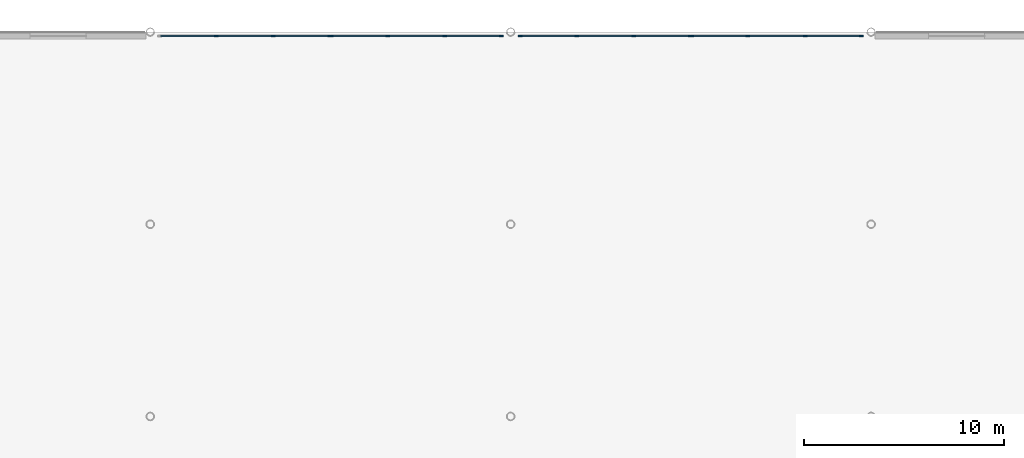
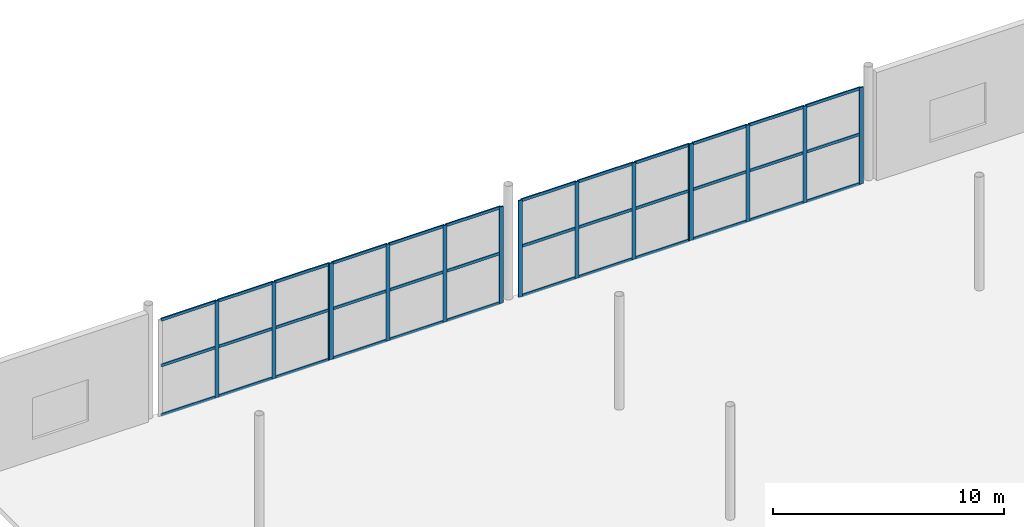
# One storey, part 39 of 113: 51 members, 4 elements without a shape of their own.
"""IFC4 building model written with IfcOpenShell, lengths in metres."""

from ifc_helpers import new_model, si_unit, direction, frame, origin, origin_2d, place, context, subcontext, project, spatial, rectangle, extrude, material, layer, layer_set, material_profile, profile_set, type_object, element, aggregate, save


model = new_model("IFC4")

# Units and contexts
model_context = context("Model", 3, precision=1e-05, world=origin(), true_north=direction((0.0, 1.0)))
body_context = subcontext(model_context, "Body", "Model", "MODEL_VIEW")
ifc_project = project(units=[si_unit("LENGTHUNIT", "METRE"), si_unit("AREAUNIT", "SQUARE_METRE"), si_unit("VOLUMEUNIT", "CUBIC_METRE"), si_unit("PLANEANGLEUNIT", "RADIAN"), si_unit("MASSUNIT", "GRAM", prefix="KILO")], contexts=[model_context])

# Site, building, storey
site_placement = place(None, origin())
site = spatial("IfcSite", under=ifc_project, at=site_placement, CompositionType="ELEMENT")
building_placement = place(site_placement, origin())
building = spatial("IfcBuilding", under=site, at=building_placement, Name="Myrtia Square Station", CompositionType="ELEMENT")
storey_placement = place(building_placement, origin())
storey = spatial("IfcBuildingStorey", under=building, at=storey_placement, Name="L00", CompositionType="ELEMENT", Elevation=0.0)

# Curtain wall, members
ifc_material = material(Name="Dark bronze anodised aluminium", Category="aluminium")
ifc_layer = layer(ifc_material, 0.159912109375, Name="Dark bronze anodised aluminium")
ifc_layer_set = layer_set([ifc_layer], Name="Dark bronze anodised aluminium")
curtain_wall_type = type_object("IfcCurtainWallType", Name="CW-TYPE-24-855x510", PredefinedType="USERDEFINED", material=ifc_layer_set)
curtain_wall_1_placement = place(storey_placement, origin())
curtain_wall_1 = element("IfcCurtainWall", 1, at=curtain_wall_1_placement, inside=storey, type_object=curtain_wall_type, Name="Concourse curtain wall CW-L00-083", ObjectType="CONCOURSE CURTAIN WALL", PredefinedType="USERDEFINED")
ifc_material_profile_1 = material_profile(ifc_material, rectangle(XDim=0.06494140625, YDim=0.199951171875, at=origin_2d()), Name="ALU-M 65x200")
ifc_profile_set_1 = profile_set([ifc_material_profile_1], Name="Dark bronze anodised aluminium")
member_type_1 = type_object("IfcMemberType", Name="CWM-65x200", PredefinedType="MULLION", material=ifc_profile_set_1)
member_1_placement = place(storey_placement, frame((30.300048828125, 124.60009765625, 0.0), z_axis=(0.0, 0.0, 1.0), x_axis=(0.0, 1.0, 0.0)))
member_1 = element("IfcMember", 2, at=member_1_placement, type_object=member_type_1, Name="CW-083 mullion 2", PredefinedType="MULLION", context=body_context, shape_type="SweptSolid", body=[
    extrude(rectangle(XDim=0.06494140625, YDim=0.199951171875, at=origin_2d()), origin(), (0.0, 0.0, 1.0), 5.10009765625),
])
member_2_placement = place(storey_placement, frame((33.14990234375, 124.60009765625, 0.0), z_axis=(0.0, 0.0, 1.0), x_axis=(0.0, 1.0, 0.0)))
member_2 = element("IfcMember", 3, at=member_2_placement, type_object=member_type_1, Name="CW-083 mullion 3", PredefinedType="MULLION", context=body_context, shape_type="SweptSolid", body=[
    extrude(rectangle(XDim=0.06494140625, YDim=0.199951171875, at=origin_2d()), origin(), (0.0, 0.0, 1.0), 5.10009765625),
])
member_3_placement = place(storey_placement, frame((35.967529296875, 124.60009765625, 0.0), z_axis=(0.0, 0.0, 1.0), x_axis=(0.0, 1.0, 0.0)))
member_3 = element("IfcMember", 4, at=member_3_placement, type_object=member_type_1, Name="CW-083 mullion 4", PredefinedType="MULLION", context=body_context, shape_type="SweptSolid", body=[
    extrude(rectangle(XDim=0.06494140625, YDim=0.199951171875, at=origin_2d()), origin(), (0.0, 0.0, 1.0), 5.10009765625),
])

curtain_wall_2_placement = place(storey_placement, origin())
curtain_wall_2 = element("IfcCurtainWall", 5, at=curtain_wall_2_placement, inside=storey, type_object=curtain_wall_type, Name="Concourse curtain wall CW-L00-085", ObjectType="CONCOURSE CURTAIN WALL", PredefinedType="USERDEFINED")
member_4_placement = place(storey_placement, frame((36.032470703125, 124.60009765625, 0.0), z_axis=(0.0, 0.0, 1.0), x_axis=(0.0, 1.0, 0.0)))
member_4 = element("IfcMember", 6, at=member_4_placement, type_object=member_type_1, Name="CW-085 mullion 1", PredefinedType="MULLION", context=body_context, shape_type="SweptSolid", body=[
    extrude(rectangle(XDim=0.06494140625, YDim=0.199951171875, at=origin_2d()), origin(), (0.0, 0.0, 1.0), 5.10009765625),
])
member_5_placement = place(storey_placement, frame((38.85009765625, 124.60009765625, 0.0), z_axis=(0.0, 0.0, 1.0), x_axis=(0.0, 1.0, 0.0)))
member_5 = element("IfcMember", 7, at=member_5_placement, type_object=member_type_1, Name="CW-085 mullion 2", PredefinedType="MULLION", context=body_context, shape_type="SweptSolid", body=[
    extrude(rectangle(XDim=0.06494140625, YDim=0.199951171875, at=origin_2d()), origin(), (0.0, 0.0, 1.0), 5.10009765625),
])
member_6_placement = place(storey_placement, frame((41.699951171875, 124.60009765625, 0.0), z_axis=(0.0, 0.0, 1.0), x_axis=(0.0, 1.0, 0.0)))
member_6 = element("IfcMember", 8, at=member_6_placement, type_object=member_type_1, Name="CW-085 mullion 3", PredefinedType="MULLION", context=body_context, shape_type="SweptSolid", body=[
    extrude(rectangle(XDim=0.06494140625, YDim=0.199951171875, at=origin_2d()), origin(), (0.0, 0.0, 1.0), 5.10009765625),
])
member_7_placement = place(storey_placement, frame((44.517578125, 124.60009765625, 0.0), z_axis=(0.0, 0.0, 1.0), x_axis=(0.0, 1.0, 0.0)))
member_7 = element("IfcMember", 9, at=member_7_placement, type_object=member_type_1, Name="CW-085 mullion 4", PredefinedType="MULLION", context=body_context, shape_type="SweptSolid", body=[
    extrude(rectangle(XDim=0.06494140625, YDim=0.199951171875, at=origin_2d()), origin(), (0.0, 0.0, 1.0), 5.10009765625),
])

curtain_wall_3_placement = place(storey_placement, origin())
curtain_wall_3 = element("IfcCurtainWall", 10, at=curtain_wall_3_placement, inside=storey, type_object=curtain_wall_type, Name="Concourse curtain wall CW-L00-087", ObjectType="CONCOURSE CURTAIN WALL", PredefinedType="USERDEFINED")
member_8_placement = place(storey_placement, frame((45.482421875, 124.60009765625, 0.0), z_axis=(0.0, 0.0, 1.0), x_axis=(0.0, 1.0, 0.0)))
member_8 = element("IfcMember", 11, at=member_8_placement, type_object=member_type_1, Name="CW-087 mullion 1", PredefinedType="MULLION", context=body_context, shape_type="SweptSolid", body=[
    extrude(rectangle(XDim=0.06494140625, YDim=0.199951171875, at=origin_2d()), origin(), (0.0, 0.0, 1.0), 5.10009765625),
])
member_9_placement = place(storey_placement, frame((48.300048828125, 124.60009765625, 0.0), z_axis=(0.0, 0.0, 1.0), x_axis=(0.0, 1.0, 0.0)))
member_9 = element("IfcMember", 12, at=member_9_placement, type_object=member_type_1, Name="CW-087 mullion 2", PredefinedType="MULLION", context=body_context, shape_type="SweptSolid", body=[
    extrude(rectangle(XDim=0.06494140625, YDim=0.199951171875, at=origin_2d()), origin(), (0.0, 0.0, 1.0), 5.10009765625),
])
member_10_placement = place(storey_placement, frame((51.14990234375, 124.60009765625, 0.0), z_axis=(0.0, 0.0, 1.0), x_axis=(0.0, 1.0, 0.0)))
member_10 = element("IfcMember", 13, at=member_10_placement, type_object=member_type_1, Name="CW-087 mullion 3", PredefinedType="MULLION", context=body_context, shape_type="SweptSolid", body=[
    extrude(rectangle(XDim=0.06494140625, YDim=0.199951171875, at=origin_2d()), origin(), (0.0, 0.0, 1.0), 5.10009765625),
])
member_11_placement = place(storey_placement, frame((53.967529296875, 124.60009765625, 0.0), z_axis=(0.0, 0.0, 1.0), x_axis=(0.0, 1.0, 0.0)))
member_11 = element("IfcMember", 14, at=member_11_placement, type_object=member_type_1, Name="CW-087 mullion 4", PredefinedType="MULLION", context=body_context, shape_type="SweptSolid", body=[
    extrude(rectangle(XDim=0.06494140625, YDim=0.199951171875, at=origin_2d()), origin(), (0.0, 0.0, 1.0), 5.10009765625),
])

curtain_wall_4_placement = place(storey_placement, origin())
curtain_wall_4 = element("IfcCurtainWall", 15, at=curtain_wall_4_placement, inside=storey, type_object=curtain_wall_type, Name="Concourse curtain wall CW-L00-089", ObjectType="CONCOURSE CURTAIN WALL", PredefinedType="USERDEFINED")
member_12_placement = place(storey_placement, frame((54.032470703125, 124.60009765625, 0.0), z_axis=(0.0, 0.0, 1.0), x_axis=(0.0, 1.0, 0.0)))
member_12 = element("IfcMember", 16, at=member_12_placement, type_object=member_type_1, Name="CW-089 mullion 1", PredefinedType="MULLION", context=body_context, shape_type="SweptSolid", body=[
    extrude(rectangle(XDim=0.06494140625, YDim=0.199951171875, at=origin_2d()), origin(), (0.0, 0.0, 1.0), 5.10009765625),
])
member_13_placement = place(storey_placement, frame((56.85009765625, 124.60009765625, 0.0), z_axis=(0.0, 0.0, 1.0), x_axis=(0.0, 1.0, 0.0)))
member_13 = element("IfcMember", 17, at=member_13_placement, type_object=member_type_1, Name="CW-089 mullion 2", PredefinedType="MULLION", context=body_context, shape_type="SweptSolid", body=[
    extrude(rectangle(XDim=0.06494140625, YDim=0.199951171875, at=origin_2d()), origin(), (0.0, 0.0, 1.0), 5.10009765625),
])
member_14_placement = place(storey_placement, frame((59.699951171875, 124.60009765625, 0.0), z_axis=(0.0, 0.0, 1.0), x_axis=(0.0, 1.0, 0.0)))
member_14 = element("IfcMember", 18, at=member_14_placement, type_object=member_type_1, Name="CW-089 mullion 3", PredefinedType="MULLION", context=body_context, shape_type="SweptSolid", body=[
    extrude(rectangle(XDim=0.06494140625, YDim=0.199951171875, at=origin_2d()), origin(), (0.0, 0.0, 1.0), 5.10009765625),
])
member_15_placement = place(storey_placement, frame((62.517578125, 124.60009765625, 0.0), z_axis=(0.0, 0.0, 1.0), x_axis=(0.0, 1.0, 0.0)))
member_15 = element("IfcMember", 19, at=member_15_placement, type_object=member_type_1, Name="CW-089 mullion 4", PredefinedType="MULLION", context=body_context, shape_type="SweptSolid", body=[
    extrude(rectangle(XDim=0.06494140625, YDim=0.199951171875, at=origin_2d()), origin(), (0.0, 0.0, 1.0), 5.10009765625),
])

# Member
ifc_material_profile_2 = material_profile(ifc_material, rectangle(XDim=0.06494140625, YDim=0.14990234375, at=origin_2d()), Name="ALU-T 65x150")
ifc_profile_set_2 = profile_set([ifc_material_profile_2], Name="Dark bronze anodised aluminium")
member_type_2 = type_object("IfcMemberType", Name="CWT-65x150", PredefinedType="USERDEFINED", material=ifc_profile_set_2)
member_16_placement = place(storey_placement, frame((27.514892578125, 124.60009765625, 0.032470703125), z_axis=(1.0, 0.0, 0.0), x_axis=(0.0, 1.0, 0.0)))
member_16 = element("IfcMember", 20, at=member_16_placement, type_object=member_type_2, Name="CW-083 transom 1.1", ObjectType="TRANSOM", PredefinedType="USERDEFINED", context=body_context, shape_type="SweptSolid", body=[
    extrude(rectangle(XDim=0.06494140625, YDim=0.14990234375, at=origin_2d()), origin(), (0.0, 0.0, 1.0), 2.752685546875),
])

member_17_placement = place(storey_placement, frame((27.514892578125, 124.60009765625, 2.652099609375), z_axis=(1.0, 0.0, 0.0), x_axis=(0.0, 1.0, 0.0)))
member_17 = element("IfcMember", 21, at=member_17_placement, type_object=member_type_2, Name="CW-083 transom 1.2", ObjectType="TRANSOM", PredefinedType="USERDEFINED", context=body_context, shape_type="SweptSolid", body=[
    extrude(rectangle(XDim=0.06494140625, YDim=0.14990234375, at=origin_2d()), origin(), (0.0, 0.0, 1.0), 2.752685546875),
])

member_18_placement = place(storey_placement, frame((27.514892578125, 124.60009765625, 5.0673828125), z_axis=(1.0, 0.0, 0.0), x_axis=(0.0, 1.0, 0.0)))
member_18 = element("IfcMember", 22, at=member_18_placement, type_object=member_type_2, Name="CW-083 transom 1.3", ObjectType="TRANSOM", PredefinedType="USERDEFINED", context=body_context, shape_type="SweptSolid", body=[
    extrude(rectangle(XDim=0.06494140625, YDim=0.14990234375, at=origin_2d()), origin(), (0.0, 0.0, 1.0), 2.752685546875),
])

member_19_placement = place(storey_placement, frame((30.33251953125, 124.60009765625, 0.032470703125), z_axis=(1.0, 0.0, 0.0), x_axis=(0.0, 1.0, 0.0)))
member_19 = element("IfcMember", 23, at=member_19_placement, type_object=member_type_2, Name="CW-083 transom 2.1", ObjectType="TRANSOM", PredefinedType="USERDEFINED", context=body_context, shape_type="SweptSolid", body=[
    extrude(rectangle(XDim=0.06494140625, YDim=0.14990234375, at=origin_2d()), origin(), (0.0, 0.0, 1.0), 2.784912109375),
])

member_20_placement = place(storey_placement, frame((30.33251953125, 124.60009765625, 2.652099609375), z_axis=(1.0, 0.0, 0.0), x_axis=(0.0, 1.0, 0.0)))
member_20 = element("IfcMember", 24, at=member_20_placement, type_object=member_type_2, Name="CW-083 transom 2.2", ObjectType="TRANSOM", PredefinedType="USERDEFINED", context=body_context, shape_type="SweptSolid", body=[
    extrude(rectangle(XDim=0.06494140625, YDim=0.14990234375, at=origin_2d()), origin(), (0.0, 0.0, 1.0), 2.784912109375),
])

member_21_placement = place(storey_placement, frame((30.33251953125, 124.60009765625, 5.0673828125), z_axis=(1.0, 0.0, 0.0), x_axis=(0.0, 1.0, 0.0)))
member_21 = element("IfcMember", 25, at=member_21_placement, type_object=member_type_2, Name="CW-083 transom 2.3", ObjectType="TRANSOM", PredefinedType="USERDEFINED", context=body_context, shape_type="SweptSolid", body=[
    extrude(rectangle(XDim=0.06494140625, YDim=0.14990234375, at=origin_2d()), origin(), (0.0, 0.0, 1.0), 2.784912109375),
])

member_22_placement = place(storey_placement, frame((33.1826171875, 124.60009765625, 0.032470703125), z_axis=(1.0, 0.0, 0.0), x_axis=(0.0, 1.0, 0.0)))
member_22 = element("IfcMember", 26, at=member_22_placement, type_object=member_type_2, Name="CW-083 transom 3.1", ObjectType="TRANSOM", PredefinedType="USERDEFINED", context=body_context, shape_type="SweptSolid", body=[
    extrude(rectangle(XDim=0.06494140625, YDim=0.14990234375, at=origin_2d()), origin(), (0.0, 0.0, 1.0), 2.75244140625),
])

member_23_placement = place(storey_placement, frame((33.1826171875, 124.60009765625, 2.652099609375), z_axis=(1.0, 0.0, 0.0), x_axis=(0.0, 1.0, 0.0)))
member_23 = element("IfcMember", 27, at=member_23_placement, type_object=member_type_2, Name="CW-083 transom 3.2", ObjectType="TRANSOM", PredefinedType="USERDEFINED", context=body_context, shape_type="SweptSolid", body=[
    extrude(rectangle(XDim=0.06494140625, YDim=0.14990234375, at=origin_2d()), origin(), (0.0, 0.0, 1.0), 2.75244140625),
])

member_24_placement = place(storey_placement, frame((33.1826171875, 124.60009765625, 5.0673828125), z_axis=(1.0, 0.0, 0.0), x_axis=(0.0, 1.0, 0.0)))
member_24 = element("IfcMember", 28, at=member_24_placement, type_object=member_type_2, Name="CW-083 transom 3.3", ObjectType="TRANSOM", PredefinedType="USERDEFINED", context=body_context, shape_type="SweptSolid", body=[
    extrude(rectangle(XDim=0.06494140625, YDim=0.14990234375, at=origin_2d()), origin(), (0.0, 0.0, 1.0), 2.75244140625),
])

aggregate(curtain_wall_1, [member_1, member_2, member_3, member_16, member_17, member_18, member_19, member_20, member_21, member_22, member_23, member_24])

member_25_placement = place(storey_placement, frame((36.06494140625, 124.60009765625, 0.032470703125), z_axis=(1.0, 0.0, 0.0), x_axis=(0.0, 1.0, 0.0)))
member_25 = element("IfcMember", 29, at=member_25_placement, type_object=member_type_2, Name="CW-085 transom 1.1", ObjectType="TRANSOM", PredefinedType="USERDEFINED", context=body_context, shape_type="SweptSolid", body=[
    extrude(rectangle(XDim=0.06494140625, YDim=0.14990234375, at=origin_2d()), origin(), (0.0, 0.0, 1.0), 2.75244140625),
])

member_26_placement = place(storey_placement, frame((36.06494140625, 124.60009765625, 2.652099609375), z_axis=(1.0, 0.0, 0.0), x_axis=(0.0, 1.0, 0.0)))
member_26 = element("IfcMember", 30, at=member_26_placement, type_object=member_type_2, Name="CW-085 transom 1.2", ObjectType="TRANSOM", PredefinedType="USERDEFINED", context=body_context, shape_type="SweptSolid", body=[
    extrude(rectangle(XDim=0.06494140625, YDim=0.14990234375, at=origin_2d()), origin(), (0.0, 0.0, 1.0), 2.75244140625),
])

member_27_placement = place(storey_placement, frame((36.06494140625, 124.60009765625, 5.0673828125), z_axis=(1.0, 0.0, 0.0), x_axis=(0.0, 1.0, 0.0)))
member_27 = element("IfcMember", 31, at=member_27_placement, type_object=member_type_2, Name="CW-085 transom 1.3", ObjectType="TRANSOM", PredefinedType="USERDEFINED", context=body_context, shape_type="SweptSolid", body=[
    extrude(rectangle(XDim=0.06494140625, YDim=0.14990234375, at=origin_2d()), origin(), (0.0, 0.0, 1.0), 2.75244140625),
])

member_28_placement = place(storey_placement, frame((38.882568359375, 124.60009765625, 0.032470703125), z_axis=(1.0, 0.0, 0.0), x_axis=(0.0, 1.0, 0.0)))
member_28 = element("IfcMember", 32, at=member_28_placement, type_object=member_type_2, Name="CW-085 transom 2.1", ObjectType="TRANSOM", PredefinedType="USERDEFINED", context=body_context, shape_type="SweptSolid", body=[
    extrude(rectangle(XDim=0.06494140625, YDim=0.14990234375, at=origin_2d()), origin(), (0.0, 0.0, 1.0), 2.784912109375),
])

member_29_placement = place(storey_placement, frame((38.882568359375, 124.60009765625, 2.652099609375), z_axis=(1.0, 0.0, 0.0), x_axis=(0.0, 1.0, 0.0)))
member_29 = element("IfcMember", 33, at=member_29_placement, type_object=member_type_2, Name="CW-085 transom 2.2", ObjectType="TRANSOM", PredefinedType="USERDEFINED", context=body_context, shape_type="SweptSolid", body=[
    extrude(rectangle(XDim=0.06494140625, YDim=0.14990234375, at=origin_2d()), origin(), (0.0, 0.0, 1.0), 2.784912109375),
])

member_30_placement = place(storey_placement, frame((38.882568359375, 124.60009765625, 5.0673828125), z_axis=(1.0, 0.0, 0.0), x_axis=(0.0, 1.0, 0.0)))
member_30 = element("IfcMember", 34, at=member_30_placement, type_object=member_type_2, Name="CW-085 transom 2.3", ObjectType="TRANSOM", PredefinedType="USERDEFINED", context=body_context, shape_type="SweptSolid", body=[
    extrude(rectangle(XDim=0.06494140625, YDim=0.14990234375, at=origin_2d()), origin(), (0.0, 0.0, 1.0), 2.784912109375),
])

member_31_placement = place(storey_placement, frame((41.732421875, 124.60009765625, 0.032470703125), z_axis=(1.0, 0.0, 0.0), x_axis=(0.0, 1.0, 0.0)))
member_31 = element("IfcMember", 35, at=member_31_placement, type_object=member_type_2, Name="CW-085 transom 3.1", ObjectType="TRANSOM", PredefinedType="USERDEFINED", context=body_context, shape_type="SweptSolid", body=[
    extrude(rectangle(XDim=0.06494140625, YDim=0.14990234375, at=origin_2d()), origin(), (0.0, 0.0, 1.0), 2.752685546875),
])

member_32_placement = place(storey_placement, frame((41.732421875, 124.60009765625, 2.652099609375), z_axis=(1.0, 0.0, 0.0), x_axis=(0.0, 1.0, 0.0)))
member_32 = element("IfcMember", 36, at=member_32_placement, type_object=member_type_2, Name="CW-085 transom 3.2", ObjectType="TRANSOM", PredefinedType="USERDEFINED", context=body_context, shape_type="SweptSolid", body=[
    extrude(rectangle(XDim=0.06494140625, YDim=0.14990234375, at=origin_2d()), origin(), (0.0, 0.0, 1.0), 2.752685546875),
])

member_33_placement = place(storey_placement, frame((41.732421875, 124.60009765625, 5.0673828125), z_axis=(1.0, 0.0, 0.0), x_axis=(0.0, 1.0, 0.0)))
member_33 = element("IfcMember", 37, at=member_33_placement, type_object=member_type_2, Name="CW-085 transom 3.3", ObjectType="TRANSOM", PredefinedType="USERDEFINED", context=body_context, shape_type="SweptSolid", body=[
    extrude(rectangle(XDim=0.06494140625, YDim=0.14990234375, at=origin_2d()), origin(), (0.0, 0.0, 1.0), 2.752685546875),
])

aggregate(curtain_wall_2, [member_4, member_5, member_6, member_7, member_25, member_26, member_27, member_28, member_29, member_30, member_31, member_32, member_33])

member_34_placement = place(storey_placement, frame((45.514892578125, 124.60009765625, 0.032470703125), z_axis=(1.0, 0.0, 0.0), x_axis=(0.0, 1.0, 0.0)))
member_34 = element("IfcMember", 38, at=member_34_placement, type_object=member_type_2, Name="CW-087 transom 1.1", ObjectType="TRANSOM", PredefinedType="USERDEFINED", context=body_context, shape_type="SweptSolid", body=[
    extrude(rectangle(XDim=0.06494140625, YDim=0.14990234375, at=origin_2d()), origin(), (0.0, 0.0, 1.0), 2.752685546875),
])

member_35_placement = place(storey_placement, frame((45.514892578125, 124.60009765625, 2.652099609375), z_axis=(1.0, 0.0, 0.0), x_axis=(0.0, 1.0, 0.0)))
member_35 = element("IfcMember", 39, at=member_35_placement, type_object=member_type_2, Name="CW-087 transom 1.2", ObjectType="TRANSOM", PredefinedType="USERDEFINED", context=body_context, shape_type="SweptSolid", body=[
    extrude(rectangle(XDim=0.06494140625, YDim=0.14990234375, at=origin_2d()), origin(), (0.0, 0.0, 1.0), 2.752685546875),
])

member_36_placement = place(storey_placement, frame((45.514892578125, 124.60009765625, 5.0673828125), z_axis=(1.0, 0.0, 0.0), x_axis=(0.0, 1.0, 0.0)))
member_36 = element("IfcMember", 40, at=member_36_placement, type_object=member_type_2, Name="CW-087 transom 1.3", ObjectType="TRANSOM", PredefinedType="USERDEFINED", context=body_context, shape_type="SweptSolid", body=[
    extrude(rectangle(XDim=0.06494140625, YDim=0.14990234375, at=origin_2d()), origin(), (0.0, 0.0, 1.0), 2.752685546875),
])

member_37_placement = place(storey_placement, frame((48.33251953125, 124.60009765625, 0.032470703125), z_axis=(1.0, 0.0, 0.0), x_axis=(0.0, 1.0, 0.0)))
member_37 = element("IfcMember", 41, at=member_37_placement, type_object=member_type_2, Name="CW-087 transom 2.1", ObjectType="TRANSOM", PredefinedType="USERDEFINED", context=body_context, shape_type="SweptSolid", body=[
    extrude(rectangle(XDim=0.06494140625, YDim=0.14990234375, at=origin_2d()), origin(), (0.0, 0.0, 1.0), 2.784912109375),
])

member_38_placement = place(storey_placement, frame((48.33251953125, 124.60009765625, 2.652099609375), z_axis=(1.0, 0.0, 0.0), x_axis=(0.0, 1.0, 0.0)))
member_38 = element("IfcMember", 42, at=member_38_placement, type_object=member_type_2, Name="CW-087 transom 2.2", ObjectType="TRANSOM", PredefinedType="USERDEFINED", context=body_context, shape_type="SweptSolid", body=[
    extrude(rectangle(XDim=0.06494140625, YDim=0.14990234375, at=origin_2d()), origin(), (0.0, 0.0, 1.0), 2.784912109375),
])

member_39_placement = place(storey_placement, frame((48.33251953125, 124.60009765625, 5.0673828125), z_axis=(1.0, 0.0, 0.0), x_axis=(0.0, 1.0, 0.0)))
member_39 = element("IfcMember", 43, at=member_39_placement, type_object=member_type_2, Name="CW-087 transom 2.3", ObjectType="TRANSOM", PredefinedType="USERDEFINED", context=body_context, shape_type="SweptSolid", body=[
    extrude(rectangle(XDim=0.06494140625, YDim=0.14990234375, at=origin_2d()), origin(), (0.0, 0.0, 1.0), 2.784912109375),
])

member_40_placement = place(storey_placement, frame((51.1826171875, 124.60009765625, 0.032470703125), z_axis=(1.0, 0.0, 0.0), x_axis=(0.0, 1.0, 0.0)))
member_40 = element("IfcMember", 44, at=member_40_placement, type_object=member_type_2, Name="CW-087 transom 3.1", ObjectType="TRANSOM", PredefinedType="USERDEFINED", context=body_context, shape_type="SweptSolid", body=[
    extrude(rectangle(XDim=0.06494140625, YDim=0.14990234375, at=origin_2d()), origin(), (0.0, 0.0, 1.0), 2.75244140625),
])

member_41_placement = place(storey_placement, frame((51.1826171875, 124.60009765625, 2.652099609375), z_axis=(1.0, 0.0, 0.0), x_axis=(0.0, 1.0, 0.0)))
member_41 = element("IfcMember", 45, at=member_41_placement, type_object=member_type_2, Name="CW-087 transom 3.2", ObjectType="TRANSOM", PredefinedType="USERDEFINED", context=body_context, shape_type="SweptSolid", body=[
    extrude(rectangle(XDim=0.06494140625, YDim=0.14990234375, at=origin_2d()), origin(), (0.0, 0.0, 1.0), 2.75244140625),
])

member_42_placement = place(storey_placement, frame((51.1826171875, 124.60009765625, 5.0673828125), z_axis=(1.0, 0.0, 0.0), x_axis=(0.0, 1.0, 0.0)))
member_42 = element("IfcMember", 46, at=member_42_placement, type_object=member_type_2, Name="CW-087 transom 3.3", ObjectType="TRANSOM", PredefinedType="USERDEFINED", context=body_context, shape_type="SweptSolid", body=[
    extrude(rectangle(XDim=0.06494140625, YDim=0.14990234375, at=origin_2d()), origin(), (0.0, 0.0, 1.0), 2.75244140625),
])

aggregate(curtain_wall_3, [member_8, member_9, member_10, member_11, member_34, member_35, member_36, member_37, member_38, member_39, member_40, member_41, member_42])

member_43_placement = place(storey_placement, frame((54.06494140625, 124.60009765625, 0.032470703125), z_axis=(1.0, 0.0, 0.0), x_axis=(0.0, 1.0, 0.0)))
member_43 = element("IfcMember", 47, at=member_43_placement, type_object=member_type_2, Name="CW-089 transom 1.1", ObjectType="TRANSOM", PredefinedType="USERDEFINED", context=body_context, shape_type="SweptSolid", body=[
    extrude(rectangle(XDim=0.06494140625, YDim=0.14990234375, at=origin_2d()), origin(), (0.0, 0.0, 1.0), 2.75244140625),
])

member_44_placement = place(storey_placement, frame((54.06494140625, 124.60009765625, 2.652099609375), z_axis=(1.0, 0.0, 0.0), x_axis=(0.0, 1.0, 0.0)))
member_44 = element("IfcMember", 48, at=member_44_placement, type_object=member_type_2, Name="CW-089 transom 1.2", ObjectType="TRANSOM", PredefinedType="USERDEFINED", context=body_context, shape_type="SweptSolid", body=[
    extrude(rectangle(XDim=0.06494140625, YDim=0.14990234375, at=origin_2d()), origin(), (0.0, 0.0, 1.0), 2.75244140625),
])

member_45_placement = place(storey_placement, frame((54.06494140625, 124.60009765625, 5.0673828125), z_axis=(1.0, 0.0, 0.0), x_axis=(0.0, 1.0, 0.0)))
member_45 = element("IfcMember", 49, at=member_45_placement, type_object=member_type_2, Name="CW-089 transom 1.3", ObjectType="TRANSOM", PredefinedType="USERDEFINED", context=body_context, shape_type="SweptSolid", body=[
    extrude(rectangle(XDim=0.06494140625, YDim=0.14990234375, at=origin_2d()), origin(), (0.0, 0.0, 1.0), 2.75244140625),
])

member_46_placement = place(storey_placement, frame((56.882568359375, 124.60009765625, 0.032470703125), z_axis=(1.0, 0.0, 0.0), x_axis=(0.0, 1.0, 0.0)))
member_46 = element("IfcMember", 50, at=member_46_placement, type_object=member_type_2, Name="CW-089 transom 2.1", ObjectType="TRANSOM", PredefinedType="USERDEFINED", context=body_context, shape_type="SweptSolid", body=[
    extrude(rectangle(XDim=0.06494140625, YDim=0.14990234375, at=origin_2d()), origin(), (0.0, 0.0, 1.0), 2.784912109375),
])

member_47_placement = place(storey_placement, frame((56.882568359375, 124.60009765625, 2.652099609375), z_axis=(1.0, 0.0, 0.0), x_axis=(0.0, 1.0, 0.0)))
member_47 = element("IfcMember", 51, at=member_47_placement, type_object=member_type_2, Name="CW-089 transom 2.2", ObjectType="TRANSOM", PredefinedType="USERDEFINED", context=body_context, shape_type="SweptSolid", body=[
    extrude(rectangle(XDim=0.06494140625, YDim=0.14990234375, at=origin_2d()), origin(), (0.0, 0.0, 1.0), 2.784912109375),
])

member_48_placement = place(storey_placement, frame((56.882568359375, 124.60009765625, 5.0673828125), z_axis=(1.0, 0.0, 0.0), x_axis=(0.0, 1.0, 0.0)))
member_48 = element("IfcMember", 52, at=member_48_placement, type_object=member_type_2, Name="CW-089 transom 2.3", ObjectType="TRANSOM", PredefinedType="USERDEFINED", context=body_context, shape_type="SweptSolid", body=[
    extrude(rectangle(XDim=0.06494140625, YDim=0.14990234375, at=origin_2d()), origin(), (0.0, 0.0, 1.0), 2.784912109375),
])

member_49_placement = place(storey_placement, frame((59.732421875, 124.60009765625, 0.032470703125), z_axis=(1.0, 0.0, 0.0), x_axis=(0.0, 1.0, 0.0)))
member_49 = element("IfcMember", 53, at=member_49_placement, type_object=member_type_2, Name="CW-089 transom 3.1", ObjectType="TRANSOM", PredefinedType="USERDEFINED", context=body_context, shape_type="SweptSolid", body=[
    extrude(rectangle(XDim=0.06494140625, YDim=0.14990234375, at=origin_2d()), origin(), (0.0, 0.0, 1.0), 2.752685546875),
])

member_50_placement = place(storey_placement, frame((59.732421875, 124.60009765625, 2.652099609375), z_axis=(1.0, 0.0, 0.0), x_axis=(0.0, 1.0, 0.0)))
member_50 = element("IfcMember", 54, at=member_50_placement, type_object=member_type_2, Name="CW-089 transom 3.2", ObjectType="TRANSOM", PredefinedType="USERDEFINED", context=body_context, shape_type="SweptSolid", body=[
    extrude(rectangle(XDim=0.06494140625, YDim=0.14990234375, at=origin_2d()), origin(), (0.0, 0.0, 1.0), 2.752685546875),
])

member_51_placement = place(storey_placement, frame((59.732421875, 124.60009765625, 5.0673828125), z_axis=(1.0, 0.0, 0.0), x_axis=(0.0, 1.0, 0.0)))
member_51 = element("IfcMember", 55, at=member_51_placement, type_object=member_type_2, Name="CW-089 transom 3.3", ObjectType="TRANSOM", PredefinedType="USERDEFINED", context=body_context, shape_type="SweptSolid", body=[
    extrude(rectangle(XDim=0.06494140625, YDim=0.14990234375, at=origin_2d()), origin(), (0.0, 0.0, 1.0), 2.752685546875),
])

aggregate(curtain_wall_4, [member_12, member_13, member_14, member_15, member_43, member_44, member_45, member_46, member_47, member_48, member_49, member_50, member_51])

save(model, "model.ifc")
